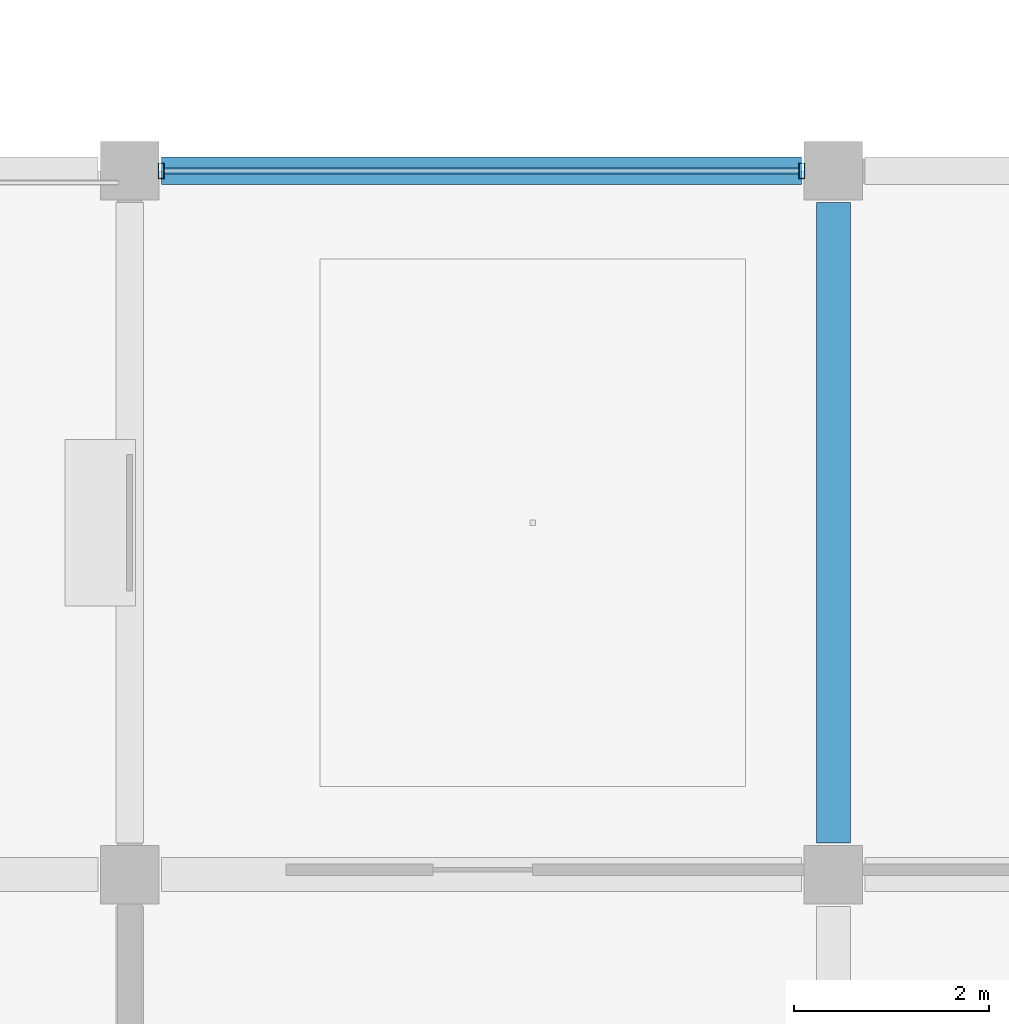
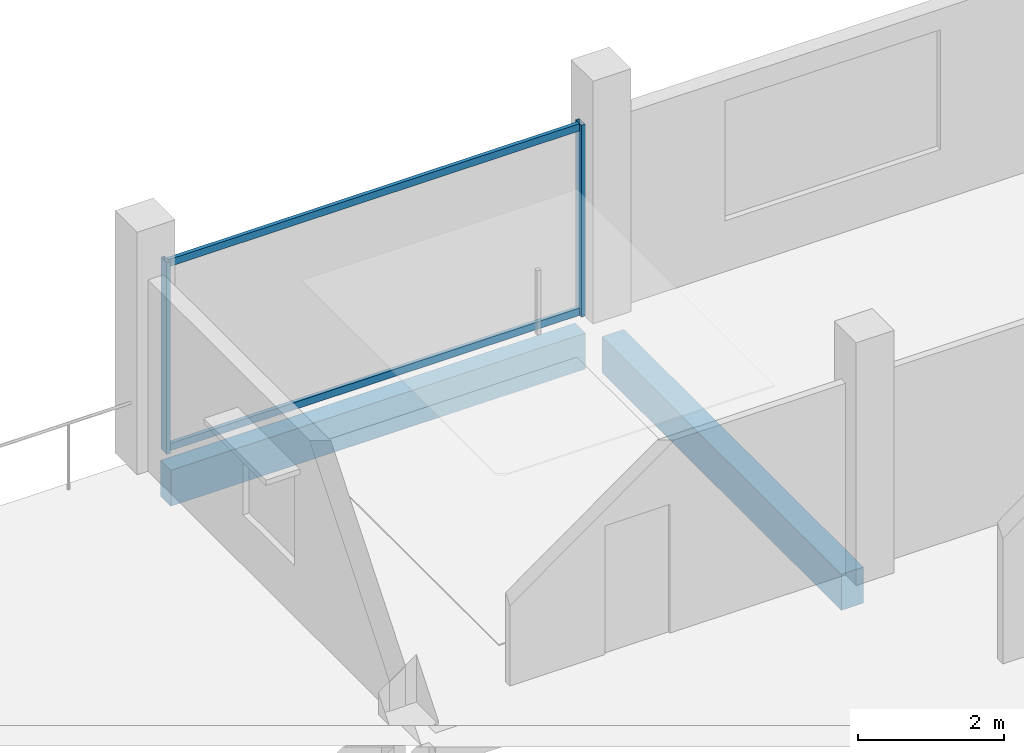
# One storey, part 15 of 91: 4 members, 2 beams, 1 element without a shape of its own.
"""IFC4 building model written with IfcOpenShell, lengths in metres."""

from ifc_helpers import new_model, si_unit, direction, frame, origin, origin_2d, place, context, subcontext, project, spatial, rectangle, hollow_rectangle, extrude, material, layer, layer_set, material_profile, profile_set, type_object, element, aggregate, save


model = new_model("IFC4")

# Units and contexts
model_context = context("Model", 3, precision=1e-05, world=origin(), true_north=direction((0.0, 1.0)))
body_context = subcontext(model_context, "Body", "Model", "MODEL_VIEW")
ifc_project = project(units=[si_unit("LENGTHUNIT", "METRE"), si_unit("AREAUNIT", "SQUARE_METRE"), si_unit("VOLUMEUNIT", "CUBIC_METRE"), si_unit("PLANEANGLEUNIT", "RADIAN"), si_unit("MASSUNIT", "GRAM", prefix="KILO")], contexts=[model_context])

# Site, building, storey
site_placement = place(None, origin())
site = spatial("IfcSite", under=ifc_project, at=site_placement, CompositionType="ELEMENT")
building_placement = place(site_placement, origin())
building = spatial("IfcBuilding", under=site, at=building_placement, Name="Kangsadwip Square Police Headquarters", CompositionType="ELEMENT")
storey_placement = place(building_placement, frame((0.0, 0.0, 13.5)))
storey = spatial("IfcBuildingStorey", under=building, at=storey_placement, Name="L03", CompositionType="ELEMENT", Elevation=13.5)

# Curtain wall, members
ifc_material_1 = material(Name="Thermally broken anodised aluminium AW-6063-T6", Category="aluminium")
ifc_layer = layer(ifc_material_1, 0.159912109375)
ifc_layer_set = layer_set([ifc_layer], Name="Thermally broken anodised aluminium AW-6063-T6")
curtain_wall_type = type_object("IfcCurtainWallType", Name="CourtScreen6610x3200", PredefinedType="USERDEFINED", material=ifc_layer_set)
curtain_wall_placement = place(storey_placement, origin())
curtain_wall = element("IfcCurtainWall", 1, at=curtain_wall_placement, inside=storey, type_object=curtain_wall_type, Name="Curtain Wall CW-L03-1155-0360", ObjectType="GLAZED_SCREEN", PredefinedType="USERDEFINED")
ifc_material_2 = material(Name="Thermally broken anodised aluminium AW-6063-T6", Category="aluminium")
ifc_material_profile_1 = material_profile(ifc_material_2, hollow_rectangle(XDim=0.06005859375, YDim=0.159912109375, WallThickness=0.00390625, at=origin_2d()), Name="CWM 160X60X4")
ifc_profile_set_1 = profile_set([ifc_material_profile_1], Name="Thermally broken anodised aluminium AW-6063-T6")
member_type_1 = type_object("IfcMemberType", Name="CwMullion135x60", PredefinedType="MULLION", material=ifc_profile_set_1)
member_1_placement = place(storey_placement, frame((115.52490234375, 36.0, 0.0), z_axis=(0.0, 0.0, 1.0), x_axis=(1.0, 0.0, 0.0)))
member_1 = element("IfcMember", 2, at=member_1_placement, type_object=member_type_1, Name="CW-36 mullion 1", PredefinedType="MULLION", context=body_context, shape_type="SweptSolid", body=[
    extrude(hollow_rectangle(XDim=0.06005859375, YDim=0.159912109375, WallThickness=0.00390625, at=origin_2d()), origin(), (0.0, 0.0, 1.0), 3.199951171875),
])
member_2_placement = place(storey_placement, frame((122.074951171875, 36.0, 0.0), z_axis=(0.0, 0.0, 1.0), x_axis=(1.0, 0.0, 0.0)))
member_2 = element("IfcMember", 3, at=member_2_placement, type_object=member_type_1, Name="CW-36 mullion 2", PredefinedType="MULLION", context=body_context, shape_type="SweptSolid", body=[
    extrude(hollow_rectangle(XDim=0.06005859375, YDim=0.159912109375, WallThickness=0.00390625, at=origin_2d()), origin(), (0.0, 0.0, 1.0), 3.199951171875),
])
ifc_material_3 = material(Name="Thermally broken anodised aluminium AW-6063-T6", Category="aluminium")
ifc_material_profile_2 = material_profile(ifc_material_3, hollow_rectangle(XDim=0.06005859375, YDim=0.1201171875, WallThickness=0.00390625, at=origin_2d()), Name="CWT 120X60X4")
ifc_profile_set_2 = profile_set([ifc_material_profile_2], Name="Thermally broken anodised aluminium AW-6063-T6")
member_type_2 = type_object("IfcMemberType", Name="CwTransom120x55", PredefinedType="USERDEFINED", material=ifc_profile_set_2)
member_3_placement = place(storey_placement, frame((115.554931640625, 36.0, 0.06005859375), z_axis=(1.0, 0.0, 0.0), x_axis=(0.0, 1.0, 0.0)))
member_3 = element("IfcMember", 4, at=member_3_placement, type_object=member_type_2, Name="CW-36 transom 1.1", ObjectType="TRANSOM", PredefinedType="USERDEFINED", context=body_context, shape_type="SweptSolid", body=[
    extrude(hollow_rectangle(XDim=0.06005859375, YDim=0.1201171875, WallThickness=0.00390625, at=origin_2d()), origin(), (0.0, 0.0, 1.0), 6.489990234375),
])
member_4_placement = place(storey_placement, frame((115.554931640625, 36.0, 3.139892578125), z_axis=(1.0, 0.0, 0.0), x_axis=(0.0, 1.0, 0.0)))
member_4 = element("IfcMember", 5, at=member_4_placement, type_object=member_type_2, Name="CW-36 transom 1.2", ObjectType="TRANSOM", PredefinedType="USERDEFINED", context=body_context, shape_type="SweptSolid", body=[
    extrude(hollow_rectangle(XDim=0.06005859375, YDim=0.1201171875, WallThickness=0.00390625, at=origin_2d()), origin(), (0.0, 0.0, 1.0), 6.489990234375),
])
aggregate(curtain_wall, [member_1, member_2, member_3, member_4])

# Beams
ifc_material_4 = material(Name="Concrete M35 (35 MPa)", Category="concrete")
ifc_material_profile_3 = material_profile(ifc_material_4, rectangle(XDim=0.35009765625, YDim=0.60009765625, at=origin_2d()), Name="RC BM 600X350")
ifc_profile_set_3 = profile_set([ifc_material_profile_3], Name="Concrete M35 (35 MPa)")
beam_type_1 = type_object("IfcBeamType", Name="RcBeam600x350", PredefinedType="BEAM", material=ifc_profile_set_3)
beam_1_placement = place(storey_placement, frame((122.39990234375, 29.125, -0.5400390625), z_axis=(0.0, 1.0, 0.0), x_axis=(-1.0, 0.0, 0.0)))
element("IfcBeam", 6, at=beam_1_placement, inside=storey, type_object=beam_type_1, Name="Beam BM-L03-Y-17-04", PredefinedType="BEAM", context=body_context, shape_type="SweptSolid", body=[
    extrude(rectangle(XDim=0.35009765625, YDim=0.60009765625, at=origin_2d()), origin(), (0.0, 0.0, 1.0), 6.550048828125),
])
ifc_material_5 = material(Name="Concrete M40 (40 MPa)", Category="concrete")
ifc_material_profile_4 = material_profile(ifc_material_5, rectangle(XDim=0.280029296875, YDim=0.60009765625, at=origin_2d()), Name="RC SPN 600X280")
ifc_profile_set_4 = profile_set([ifc_material_profile_4], Name="Concrete M40 (40 MPa)")
beam_type_2 = type_object("IfcBeamType", Name="RcSpandrel600x280", PredefinedType="SPANDREL", material=ifc_profile_set_4)
beam_2_placement = place(storey_placement, frame((115.52490234375, 36.0, -0.5400390625), z_axis=(1.0, 0.0, 0.0), x_axis=(0.0, 1.0, 0.0)))
element("IfcBeam", 7, at=beam_2_placement, inside=storey, type_object=beam_type_2, Name="Beam BM-L03-X-16-05", PredefinedType="SPANDREL", context=body_context, shape_type="SweptSolid", body=[
    extrude(rectangle(XDim=0.280029296875, YDim=0.60009765625, at=origin_2d()), origin(), (0.0, 0.0, 1.0), 6.550048828125),
])

save(model, "model.ifc")
